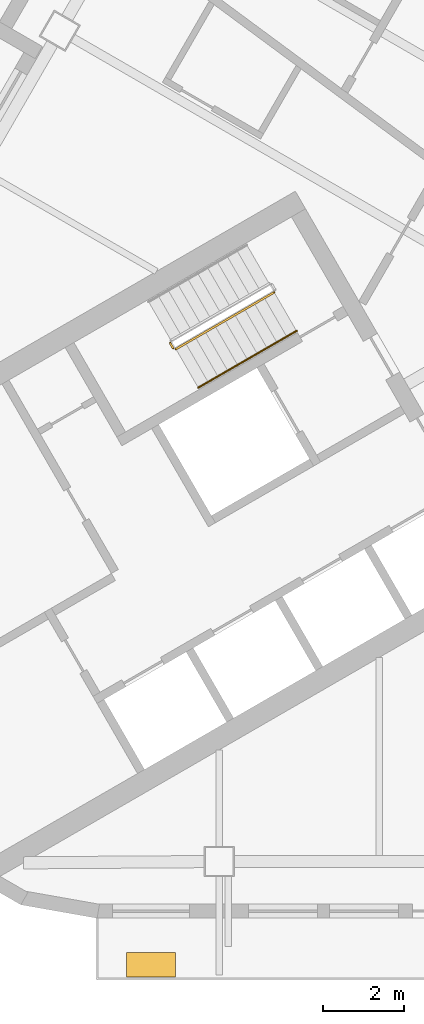
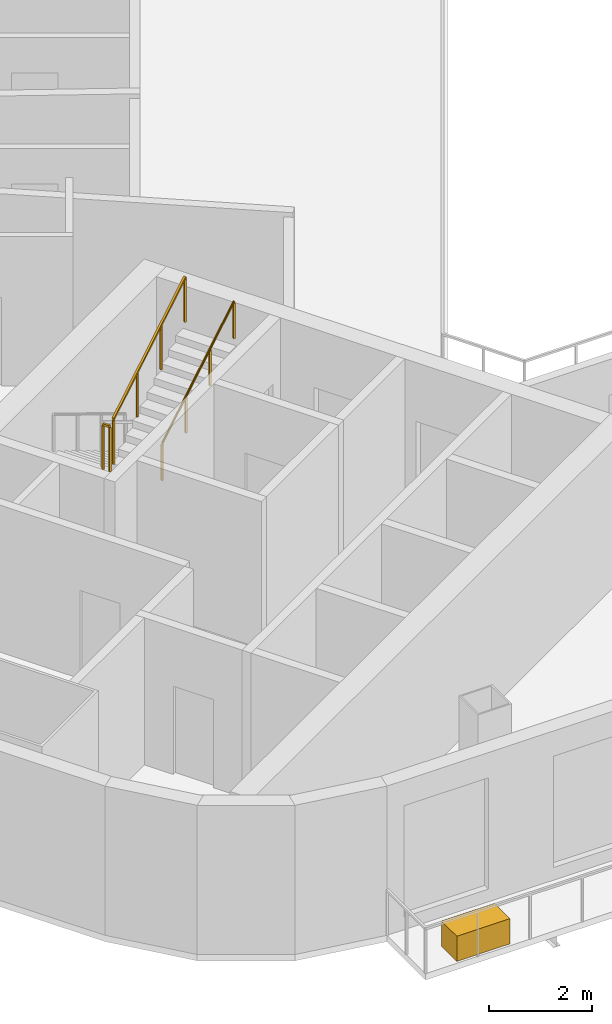
# One storey, part 9 of 14: 3 railings, 1 covering.
"""IFC4 building model written with IfcOpenShell, lengths in metres."""

import ifcopenshell
import ifcopenshell.guid

model = None  # the IFC model being written
_history = None  # IfcOwnerHistory: only IFC2X3 demands one
_inside = {}  # id of a spatial element -> (the spatial element, [elements in it])
_under = {}  # id of a project, library or spatial element -> (it, [spatial elements below it])
_declared = {}  # id of a project -> (the project, [libraries it declares])
_typed = {}  # id of a type object -> (the type object, [elements of that type])
_made_of = {}  # id of a material, layer set ... -> (it, [elements and type objects made of it])


def new_model(schema):
    """Start an empty IFC model of exactly this schema.

    Asked for "IFC4X3", IfcOpenShell would pick the latest addendum, in which some entities
    have other attributes; the version numbers below select the first issue.
    IFC2X3 requires an IfcOwnerHistory on every rooted entity: one is made here for all.
    """
    global model, _history
    if schema == "IFC4X3":
        model = ifcopenshell.file(schema_version=(4, 3, 0, 0))
    else:
        model = ifcopenshell.file(schema=schema)
    _inside.clear()
    _under.clear()
    _declared.clear()
    _typed.clear()
    _made_of.clear()
    _history = None
    if model.schema == "IFC2X3":
        org = make("IfcOrganization", Name="unknown")
        user = make(
            "IfcPersonAndOrganization",
            ThePerson=make("IfcPerson", FamilyName="unknown"),
            TheOrganization=org,
        )
        app = make(
            "IfcApplication",
            ApplicationDeveloper=org,
            Version="unknown",
            ApplicationFullName="unknown",
            ApplicationIdentifier="unknown",
        )
        _history = make(
            "IfcOwnerHistory",
            OwningUser=user,
            OwningApplication=app,
            ChangeAction="ADDED",
            CreationDate=0,
        )
    return model


def make(cls, **values):
    """One entity of the class cls with the attributes given. An attribute that is None is left unset."""
    return model.create_entity(
        cls, **{name: value for name, value in values.items() if value is not None}
    )


def rooted(cls, **values):
    """An entity with a GlobalId (a new one), such as an element, a storey or a relation."""
    return make(cls, GlobalId=ifcopenshell.guid.new(), OwnerHistory=_history, **values)


def si_unit(unit_type, name, prefix=None):
    """IfcSIUnit, for example si_unit("LENGTHUNIT", "METRE", prefix="MILLI")."""
    return make("IfcSIUnit", UnitType=unit_type, Prefix=prefix, Name=name)


def assignment(units):
    """IfcUnitAssignment: the units of a project."""
    return None if units is None else make("IfcUnitAssignment", Units=units)


def point(xyz):
    """IfcCartesianPoint."""
    return None if xyz is None else make("IfcCartesianPoint", Coordinates=xyz)


def direction(xyz):
    """IfcDirection."""
    return None if xyz is None else make("IfcDirection", DirectionRatios=xyz)


def frame(location, z_axis=None, x_axis=None):
    """IfcAxis2Placement3D, a coordinate frame: its origin and axes. An axis left out is left unset."""
    return make(
        "IfcAxis2Placement3D",
        Location=point(location),
        Axis=direction(z_axis),
        RefDirection=direction(x_axis),
    )


def frame_2d(location, x_axis=None):
    """IfcAxis2Placement2D, a coordinate frame in the plane: its origin and x axis."""
    return make(
        "IfcAxis2Placement2D", Location=point(location), RefDirection=direction(x_axis)
    )


def origin():
    """The frame at (0, 0, 0) with its axes left unset."""
    return frame((0.0, 0.0, 0.0))


def origin_2d():
    """The frame at (0, 0) in the plane with its x axis left unset."""
    return frame_2d((0.0, 0.0))


def place(relative_to, where):
    """IfcLocalPlacement: puts the frame where relative to a parent placement (None: the world)."""
    return make(
        "IfcLocalPlacement", PlacementRelTo=relative_to, RelativePlacement=where
    )


def context(
    kind, dimensions, precision=None, world=None, true_north=None, identifier=None
):
    """IfcGeometricRepresentationContext, for example the 3D "Model" context."""
    return make(
        "IfcGeometricRepresentationContext",
        ContextIdentifier=identifier,
        ContextType=kind,
        CoordinateSpaceDimension=dimensions,
        Precision=precision,
        WorldCoordinateSystem=world,
        TrueNorth=true_north,
    )


def subcontext(parent, identifier, kind, view, scale=None):
    """IfcGeometricRepresentationSubContext, for example "Body" below "Model"."""
    return make(
        "IfcGeometricRepresentationSubContext",
        ContextIdentifier=identifier,
        ContextType=kind,
        ParentContext=parent,
        TargetScale=scale,
        TargetView=view,
    )


def project(units=None, contexts=None):
    """IfcProject with its units and contexts."""
    return rooted(
        "IfcProject",
        Name="project",
        RepresentationContexts=contexts,
        UnitsInContext=assignment(units),
    )


def spatial(cls, under=None, at=None, **own):
    """A site, building, storey or space (cls), placed at a placement, below another one or the project."""
    s = rooted(cls, ObjectPlacement=at, **own)
    if under is not None:
        _under.setdefault(under.id(), (under, []))[1].append(s)
    return s


def profile(cls, at=None, kind="AREA", **sizes):
    """A parametric profile (cls). Its sizes go by their IFC names, for example OverallWidth=200.0."""
    return make(cls, ProfileType=kind, Position=at, **sizes)


def rectangle(**sizes):
    """IfcRectangleProfileDef."""
    return profile("IfcRectangleProfileDef", **sizes)


def circle(**sizes):
    """IfcCircleProfileDef."""
    return profile("IfcCircleProfileDef", **sizes)


def extrude(swept, where, along, depth):
    """IfcExtrudedAreaSolid: the profile swept, set in the frame where, extruded along a direction by depth."""
    return make(
        "IfcExtrudedAreaSolid",
        SweptArea=swept,
        Position=where,
        ExtrudedDirection=direction(along),
        Depth=depth,
    )


def shape(context_of_items, identifier, shape_type, items):
    """IfcShapeRepresentation: the items that make up one representation, for example the "Body"."""
    return make(
        "IfcShapeRepresentation",
        ContextOfItems=context_of_items,
        RepresentationIdentifier=identifier,
        RepresentationType=shape_type,
        Items=items,
    )


def material(Name=None, Category=None):
    """IfcMaterial."""
    return make("IfcMaterial", Name=Name, Category=Category)


def made_of(thing, what):
    """Note that an element or type object is made of a material, layer set ...; save() writes the relation."""
    if what is not None:
        _made_of.setdefault(what.id(), (what, []))[1].append(thing)
    return thing


def type_object(cls, material=None, **own):
    """A type object (cls), such as IfcWallType, which elements share."""
    return made_of(rooted(cls, **own), material)


def element(
    cls,
    number,
    at=None,
    inside=None,
    cuts=None,
    type_object=None,
    material=None,
    context=None,
    identifier="Body",
    shape_type=None,
    held_by="IfcProductDefinitionShape",
    body=None,
    shapes=None,
    **own,
):
    """One element of the class cls, such as IfcWall. Its Tag is "e" and its number.

    at: its placement. inside: the storey or other place that contains it. cuts: it is an
    opening in that element (IfcRelVoidsElement). A single representation is given by context,
    identifier, shape_type and body (its items); several are given by shapes. held_by: the class
    of the entity that holds the representations. save() writes the other relations.
    """
    e = rooted(cls, Tag="e%d" % number, ObjectPlacement=at, **own)
    if body is not None:
        shapes = [shape(context, identifier, shape_type, body)]
    if shapes is not None:
        e.Representation = make(held_by, Representations=shapes)
    if inside is not None:
        _inside.setdefault(inside.id(), (inside, []))[1].append(e)
    if cuts is not None:
        rooted(
            "IfcRelVoidsElement", RelatingBuildingElement=cuts, RelatedOpeningElement=e
        )
    if type_object is not None:
        _typed.setdefault(type_object.id(), (type_object, []))[1].append(e)
    return made_of(e, material)


def aggregate(whole, parts):
    """IfcRelAggregates: a whole, such as a stair, and the parts it consists of."""
    return rooted("IfcRelAggregates", RelatingObject=whole, RelatedObjects=parts)


def save(model, path):
    """Write the relations noted so far, then the file.

    IfcRelAggregates (storeys below a building ...), IfcRelContainedInSpatialStructure (elements
    in a storey), IfcRelDefinesByType, IfcRelAssociatesMaterial and IfcRelDeclares: one each for
    every whole, place, type object, material and project.
    """
    for whole, parts in _under.values():
        aggregate(whole, parts)
    for where, things in _inside.values():
        rooted(
            "IfcRelContainedInSpatialStructure",
            RelatedElements=things,
            RelatingStructure=where,
        )
    for kind, things in _typed.values():
        rooted("IfcRelDefinesByType", RelatedObjects=things, RelatingType=kind)
    for what, things in _made_of.values():
        rooted("IfcRelAssociatesMaterial", RelatedObjects=things, RelatingMaterial=what)
    for by, libraries in _declared.values():
        rooted("IfcRelDeclares", RelatingContext=by, RelatedDefinitions=libraries)
    model.write(path)


model = new_model("IFC4")

# Units and contexts
model_context = context("Model", 3, precision=1e-05, world=origin(), true_north=direction((0.0, 1.0)))
body_context = subcontext(model_context, "Body", "Model", "MODEL_VIEW")
ifc_project = project(units=[si_unit("LENGTHUNIT", "METRE"), si_unit("AREAUNIT", "SQUARE_METRE"), si_unit("VOLUMEUNIT", "CUBIC_METRE"), si_unit("PLANEANGLEUNIT", "RADIAN"), si_unit("MASSUNIT", "GRAM", prefix="KILO")], contexts=[model_context])

# Site, building, storey
site_placement = place(None, origin())
site = spatial("IfcSite", under=ifc_project, at=site_placement, CompositionType="ELEMENT")
building_placement = place(site_placement, origin())
building = spatial("IfcBuilding", under=site, at=building_placement, Name="Apuvela Tower Hotel", CompositionType="ELEMENT")
storey_placement = place(building_placement, frame((0.0, 0.0, 205.800048828125)))
storey = spatial("IfcBuildingStorey", under=building, at=storey_placement, Name="L50", CompositionType="ELEMENT", Elevation=205.800048828125)

# Railings
ifc_material_1 = material(Name="Steel S275 balustrade", Category="steel")
railing_type_1 = type_object("IfcRailingType", Name="COR-GUARD-1100", PredefinedType="GUARDRAIL", material=ifc_material_1)
railing_1_placement = place(storey_placement, frame((-17.01220703125, -5.43408203125, 1.849853515625)))
element("IfcRailing", 1, at=railing_1_placement, inside=storey, type_object=railing_type_1, Name="L50 ST2 stair guard 2", PredefinedType="GUARDRAIL", context=body_context, shape_type="SweptSolid", body=[
    extrude(rectangle(XDim=0.048095703125, YDim=0.048095703125, at=origin_2d()), frame((0.0, 0.0, 1.076171875), z_axis=(0.499816412211, -0.866131372301, 0.0), x_axis=(0.866131372301, 0.499816412211, 0.0)), (0.0, 0.0, 1.0), 0.14990234375),
    extrude(rectangle(XDim=0.0419921875, YDim=0.0419921875, at=origin_2d()), origin(), (0.0, 0.0, 1.0), 1.052001953125),
    extrude(rectangle(XDim=0.0419921875, YDim=0.0419921875, at=origin_2d()), frame((0.074951171875, -0.1298828125, 0.0)), (0.0, 0.0, 1.0), 1.052001953125),
])
railing_2_placement = place(storey_placement, frame((-16.868896484375, -5.582275390625, 2.01806640625)))
element("IfcRailing", 2, at=railing_2_placement, inside=storey, type_object=railing_type_1, Name="L50 ST2 stair guard 3", PredefinedType="GUARDRAIL", context=body_context, shape_type="SweptSolid", body=[
    extrude(rectangle(XDim=0.048095703125, YDim=0.048095703125, at=origin_2d()), frame((0.0, 0.0, 1.076171875), z_axis=(0.742390482028, 0.42860119049, 0.514934356695), x_axis=(-0.49998411664, 0.866034573852, 0.0)), (0.0, 0.0, 1.0), 3.26611328125),
    extrude(rectangle(XDim=0.0419921875, YDim=0.0419921875, at=origin_2d()), origin(), (0.0, 0.0, 1.0), 1.052001953125),
    extrude(rectangle(XDim=0.0419921875, YDim=0.0419921875, at=origin_2d()), frame((0.808349609375, 0.466552734375, 0.560546875)), (0.0, 0.0, 1.0), 1.052001953125),
    extrude(rectangle(XDim=0.0419921875, YDim=0.0419921875, at=origin_2d()), frame((1.616455078125, 0.933349609375, 1.121337890625)), (0.0, 0.0, 1.0), 1.052001953125),
    extrude(rectangle(XDim=0.0419921875, YDim=0.0419921875, at=origin_2d()), frame((2.4248046875, 1.39990234375, 1.681884765625)), (0.0, 0.0, 1.0), 1.052001953125),
])
ifc_material_2 = material(Name="Stainless steel 316 handrail", Category="steel")
railing_type_2 = type_object("IfcRailingType", Name="COR-HANDRAIL-900", PredefinedType="HANDRAIL", material=ifc_material_2)
railing_3_placement = place(storey_placement, frame((-16.31884765625, -6.534912109375, 2.01806640625)))
element("IfcRailing", 3, at=railing_3_placement, inside=storey, type_object=railing_type_2, Name="L50 ST2 stair handrail 2", PredefinedType="HANDRAIL", context=body_context, shape_type="SweptSolid", body=[
    extrude(circle(Radius=0.02392578125, at=origin_2d()), frame((0.0, 0.0, 0.8759765625), z_axis=(0.742390482028, 0.42860119049, 0.514934356695), x_axis=(-0.49998411664, 0.866034573852, 0.0)), (0.0, 0.0, 1.0), 3.26611328125),
    extrude(rectangle(XDim=0.0419921875, YDim=0.0419921875, at=origin_2d()), origin(), (0.0, 0.0, 1.0), 0.851806640625),
    extrude(rectangle(XDim=0.0419921875, YDim=0.0419921875, at=origin_2d()), frame((0.808349609375, 0.466552734375, 0.560546875)), (0.0, 0.0, 1.0), 0.851806640625),
    extrude(rectangle(XDim=0.0419921875, YDim=0.0419921875, at=origin_2d()), frame((1.616455078125, 0.933349609375, 1.121337890625)), (0.0, 0.0, 1.0), 0.851806640625),
    extrude(rectangle(XDim=0.0419921875, YDim=0.0419921875, at=origin_2d()), frame((2.4248046875, 1.39990234375, 1.681884765625)), (0.0, 0.0, 1.0), 0.851806640625),
])

# Covering
ifc_material_3 = material(Name="Planting substrate and soil, planted")
covering_type = type_object("IfcCoveringType", Name="ENV-PLANTER-1200x600", PredefinedType="USERDEFINED", material=ifc_material_3)
covering_placement = place(storey_placement, frame((-17.485107421875, -20.780029296875, 0.0), z_axis=(0.0, 0.0, 1.0), x_axis=(1.0, 0.0, 0.0)))
element("IfcCovering", 4, at=covering_placement, inside=storey, type_object=covering_type, Name="Planter S1", ObjectType="PLANTER", PredefinedType="USERDEFINED", context=body_context, shape_type="SweptSolid", body=[
    extrude(rectangle(XDim=1.199951171875, YDim=0.60009765625, at=origin_2d()), origin(), (0.0, 0.0, 1.0), 0.60009765625),
])

save(model, "model.ifc")
